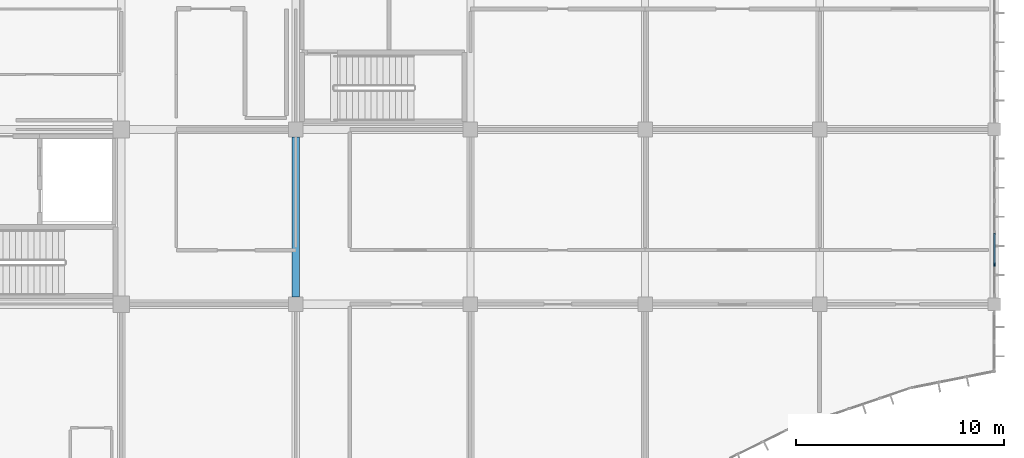
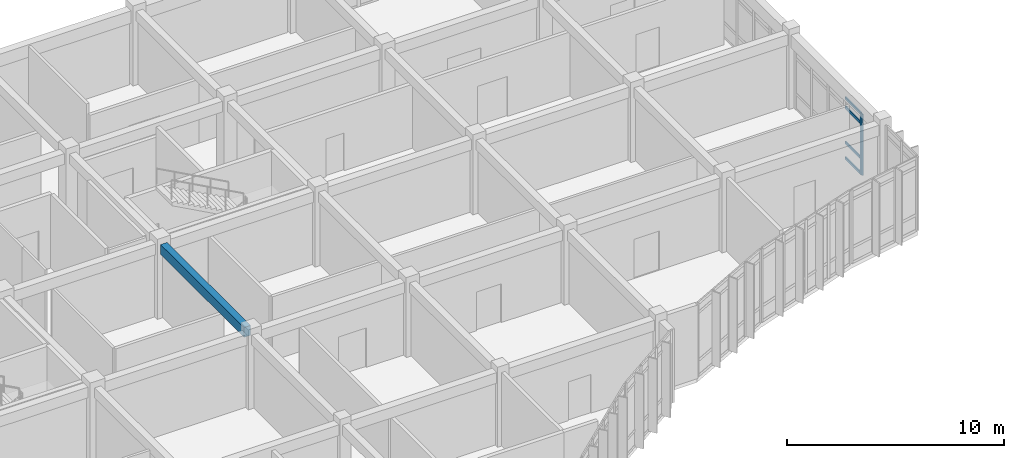
# One storey, part 66 of 144: 5 members, 1 beam, 1 element without a shape of its own.
"""IFC4 building model written with IfcOpenShell, lengths in metres."""

from ifc_helpers import new_model, si_unit, direction, frame, origin, origin_2d, place, context, subcontext, project, spatial, rectangle, extrude, material, layer, layer_set, material_profile, profile_set, type_object, element, aggregate, save


model = new_model("IFC4")

# Units and contexts
model_context = context("Model", 3, precision=1e-05, world=origin(), true_north=direction((0.0, 1.0)))
body_context = subcontext(model_context, "Body", "Model", "MODEL_VIEW")
ifc_project = project(units=[si_unit("LENGTHUNIT", "METRE"), si_unit("AREAUNIT", "SQUARE_METRE"), si_unit("VOLUMEUNIT", "CUBIC_METRE"), si_unit("PLANEANGLEUNIT", "RADIAN"), si_unit("MASSUNIT", "GRAM", prefix="KILO")], contexts=[model_context])

# Site, building, storey
site_placement = place(None, origin())
site = spatial("IfcSite", under=ifc_project, at=site_placement, CompositionType="ELEMENT")
building_placement = place(site_placement, origin())
building = spatial("IfcBuilding", under=site, at=building_placement, Name="Bramfleet General Hospital", CompositionType="ELEMENT")
storey_placement = place(building_placement, frame((0.0, 0.0, 4.800048828125)))
storey = spatial("IfcBuildingStorey", under=building, at=storey_placement, Name="L01", CompositionType="ELEMENT", Elevation=4.800048828125)

# Beam
ifc_material_1 = material(Name="Concrete C35/45", Category="concrete")
ifc_material_profile_1 = material_profile(ifc_material_1, rectangle(XDim=0.35009765625, YDim=0.550048828125, at=origin_2d()), Name="RC BM 550x350")
ifc_profile_set_1 = profile_set([ifc_material_profile_1], Name="Concrete C35/45")
beam_type = type_object("IfcBeamType", Name="BM-RC550", PredefinedType="BEAM", material=ifc_profile_set_1)
beam_placement = place(storey_placement, frame((134.39990234375, 92.75, 3.875), z_axis=(0.0, 1.0, 0.0), x_axis=(-1.0, 0.0, 0.0)))
element("IfcBeam", 1, at=beam_placement, inside=storey, type_object=beam_type, Name="L01 Grid Beam Y 16-11", PredefinedType="BEAM", context=body_context, shape_type="SweptSolid", body=[
    extrude(rectangle(XDim=0.35009765625, YDim=0.550048828125, at=origin_2d()), origin(), (0.0, 0.0, 1.0), 7.699951171875),
])

# Curtain wall, members
ifc_material_2 = material(Name="Anodised aluminium and low-E triple glazing", Category="aluminium")
ifc_layer = layer(ifc_material_2, 0.179931640625, Name="CWT-CW-14")
ifc_layer_set = layer_set([ifc_layer], Name="Anodised aluminium and low-E triple glazing")
curtain_wall_type = type_object("IfcCurtainWallType", Name="CWT-CW-14", PredefinedType="USERDEFINED", material=ifc_layer_set)
curtain_wall_placement = place(storey_placement, origin())
curtain_wall = element("IfcCurtainWall", 2, at=curtain_wall_placement, inside=storey, type_object=curtain_wall_type, Name="L01 Curtain Wall 50", ObjectType="Stick curtain wall", PredefinedType="USERDEFINED")
ifc_material_3 = material(Name="Structural timber GL28h", Category="wood")
ifc_material_profile_2 = material_profile(ifc_material_3, rectangle(XDim=0.070068359375, YDim=0.18994140625, at=origin_2d()), Name="LARCH 190x70")
ifc_profile_set_2 = profile_set([ifc_material_profile_2], Name="Structural timber GL28h")
member_type_1 = type_object("IfcMemberType", Name="CWM-LARCH450", PredefinedType="MULLION", material=ifc_profile_set_2)
member_1_placement = place(storey_placement, frame((168.0, 94.304931640625, 0.0), z_axis=(0.0, 0.0, 1.0), x_axis=(1.0, 0.0, 0.0)))
member_1 = element("IfcMember", 3, at=member_1_placement, type_object=member_type_1, Name="CW-14 mullion 5", PredefinedType="MULLION", context=body_context, shape_type="SweptSolid", body=[
    extrude(rectangle(XDim=0.070068359375, YDim=0.18994140625, at=origin_2d()), origin(), (0.0, 0.0, 1.0), 3.43994140625),
])
ifc_material_profile_3 = material_profile(ifc_material_3, rectangle(XDim=0.06494140625, YDim=0.14990234375, at=origin_2d()), Name="LARCH 150x65")
ifc_profile_set_3 = profile_set([ifc_material_profile_3], Name="Structural timber GL28h")
member_type_2 = type_object("IfcMemberType", Name="CWT-LARCH220", PredefinedType="USERDEFINED", material=ifc_profile_set_3)
member_2_placement = place(storey_placement, frame((168.0, 95.800048828125, 0.032470703125), z_axis=(0.0, -1.0, 0.0), x_axis=(1.0, 0.0, 0.0)))
member_2 = element("IfcMember", 4, at=member_2_placement, type_object=member_type_2, Name="CW-14 transom 4.1", ObjectType="TRANSOM", PredefinedType="USERDEFINED", context=body_context, shape_type="SweptSolid", body=[
    extrude(rectangle(XDim=0.06494140625, YDim=0.14990234375, at=origin_2d()), origin(), (0.0, 0.0, 1.0), 1.4599609375),
])
member_3_placement = place(storey_placement, frame((168.0, 95.800048828125, 0.89990234375), z_axis=(0.0, -1.0, 0.0), x_axis=(1.0, 0.0, 0.0)))
member_3 = element("IfcMember", 5, at=member_3_placement, type_object=member_type_2, Name="CW-14 transom 4.2", ObjectType="TRANSOM", PredefinedType="USERDEFINED", context=body_context, shape_type="SweptSolid", body=[
    extrude(rectangle(XDim=0.06494140625, YDim=0.14990234375, at=origin_2d()), origin(), (0.0, 0.0, 1.0), 1.4599609375),
])
member_4_placement = place(storey_placement, frame((168.0, 95.800048828125, 2.889892578125), z_axis=(0.0, -1.0, 0.0), x_axis=(1.0, 0.0, 0.0)))
member_4 = element("IfcMember", 6, at=member_4_placement, type_object=member_type_2, Name="CW-14 transom 4.3", ObjectType="TRANSOM", PredefinedType="USERDEFINED", context=body_context, shape_type="SweptSolid", body=[
    extrude(rectangle(XDim=0.06494140625, YDim=0.14990234375, at=origin_2d()), origin(), (0.0, 0.0, 1.0), 1.4599609375),
])
member_5_placement = place(storey_placement, frame((168.0, 95.800048828125, 3.407470703125), z_axis=(0.0, -1.0, 0.0), x_axis=(1.0, 0.0, 0.0)))
member_5 = element("IfcMember", 7, at=member_5_placement, type_object=member_type_2, Name="CW-14 transom 4.4", ObjectType="TRANSOM", PredefinedType="USERDEFINED", context=body_context, shape_type="SweptSolid", body=[
    extrude(rectangle(XDim=0.06494140625, YDim=0.14990234375, at=origin_2d()), origin(), (0.0, 0.0, 1.0), 1.4599609375),
])
aggregate(curtain_wall, [member_1, member_2, member_3, member_4, member_5])

save(model, "model.ifc")
